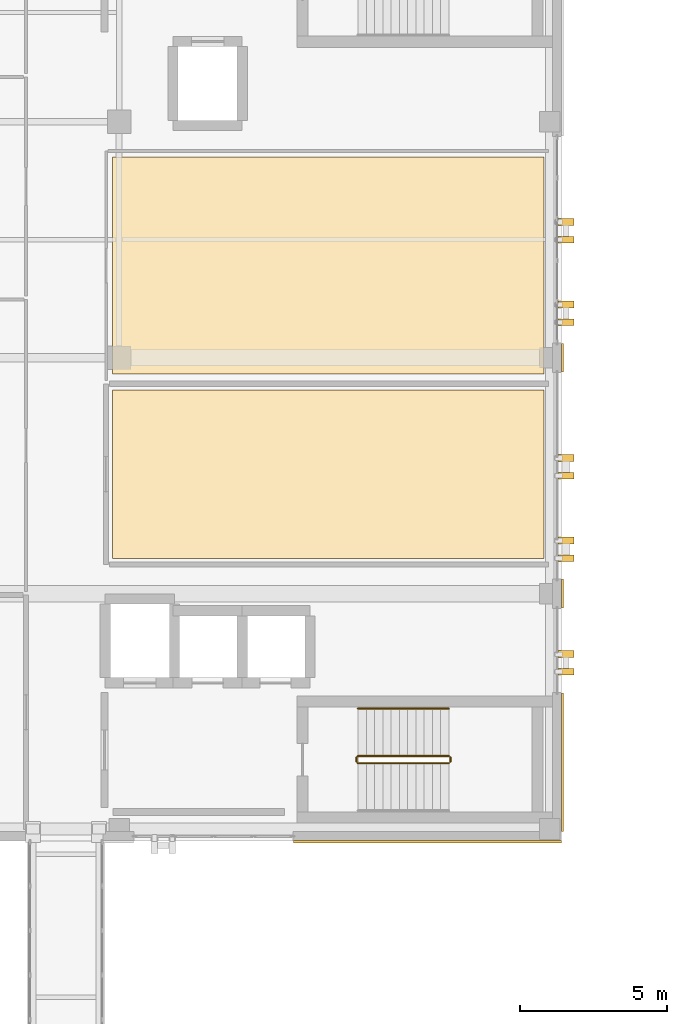
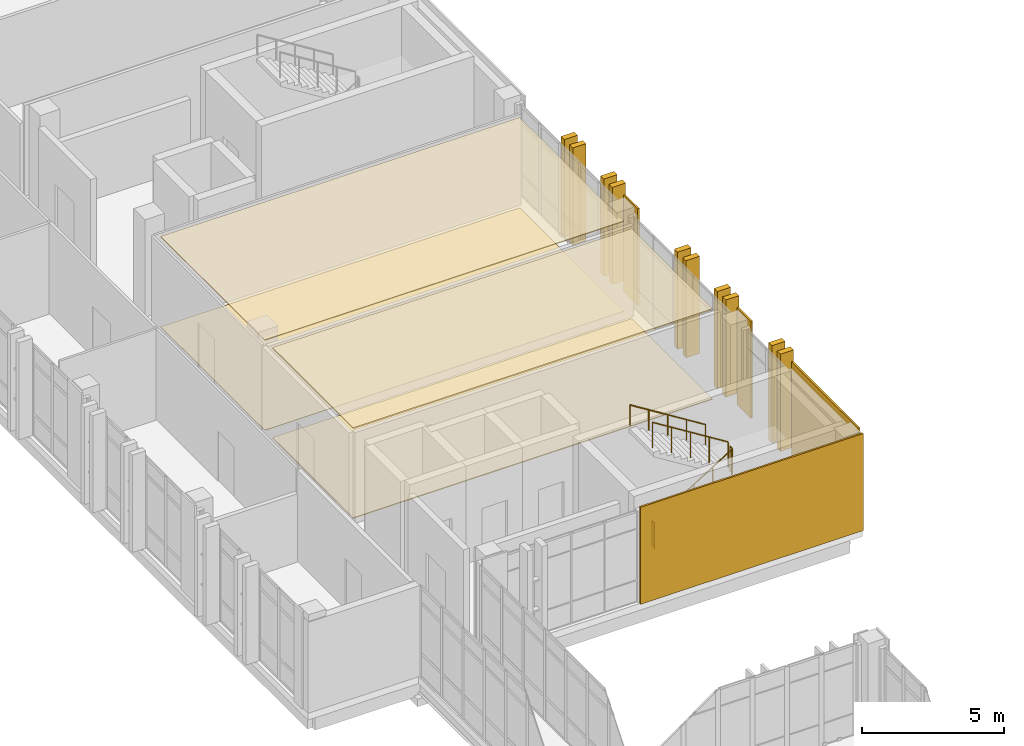
# One storey, part 181 of 193: 18 coverings, 5 railings.
"""IFC4 building model written with IfcOpenShell, lengths in metres."""

from ifc_helpers import new_model, si_unit, direction, frame, origin, origin_2d, place, context, subcontext, project, spatial, polyline, rectangle, circle, outline, extrude, material, layer, layer_set, type_object, element, save


model = new_model("IFC4")

# Units and contexts
model_context = context("Model", 3, precision=1e-05, world=origin(), true_north=direction((0.0, 1.0)))
body_context = subcontext(model_context, "Body", "Model", "MODEL_VIEW")
ifc_project = project(units=[si_unit("LENGTHUNIT", "METRE"), si_unit("AREAUNIT", "SQUARE_METRE"), si_unit("VOLUMEUNIT", "CUBIC_METRE"), si_unit("PLANEANGLEUNIT", "RADIAN"), si_unit("MASSUNIT", "GRAM", prefix="KILO")], contexts=[model_context])

# Site, building, storey
site_placement = place(None, origin())
site = spatial("IfcSite", under=ifc_project, at=site_placement, CompositionType="ELEMENT")
building_placement = place(site_placement, origin())
building = spatial("IfcBuilding", under=site, at=building_placement, Name="Qalavern Law Courts", CompositionType="ELEMENT")
storey_placement = place(building_placement, frame((0.0, 0.0, 10.199951171875)))
storey = spatial("IfcBuildingStorey", under=building, at=storey_placement, Name="L02", CompositionType="ELEMENT", Elevation=10.199951171875)

# Coverings
ifc_material_1 = material(Name="Precast concrete C40/50", Category="concrete")
ifc_layer_1 = layer(ifc_material_1, 0.22998046875)
ifc_layer_set_1 = layer_set([ifc_layer_1], Name="Precast concrete C40/50")
covering_type_1 = type_object("IfcCoveringType", Name="ENV-BLD-2", PredefinedType="CLADDING", material=ifc_layer_set_1)
for number, where, z_axis, x_axis, name in (
    (1, (106.955078125, 46.75, 0.005126953125), (0.0, 0.0, 1.0), (1.0, 0.0, 0.0), "Absheron stone facade blade 0581"),
    (2, (106.955078125, 47.35009765625, 0.005126953125), (0.0, 0.0, 1.0), (1.0, 0.0, 0.0), "Absheron stone facade blade 0582"),
    (3, (106.955078125, 50.60009765625, 0.005126953125), (0.0, 0.0, 1.0), (1.0, 0.0, 0.0), "Absheron stone facade blade 0583"),
    (4, (106.955078125, 51.199951171875, 0.005126953125), (0.0, 0.0, 1.0), (1.0, 0.0, 0.0), "Absheron stone facade blade 0584"),
    (5, (106.955078125, 53.39990234375, 0.005126953125), (0.0, 0.0, 1.0), (1.0, 0.0, 0.0), "Absheron stone facade blade 0585"),
    (6, (106.955078125, 54.0, 0.005126953125), (0.0, 0.0, 1.0), (1.0, 0.0, 0.0), "Absheron stone facade blade 0586"),
    (7, (106.955078125, 58.60009765625, 0.005126953125), (0.0, 0.0, 1.0), (1.0, 0.0, 0.0), "Absheron stone facade blade 0587"),
    (8, (106.955078125, 59.199951171875, 0.005126953125), (0.0, 0.0, 1.0), (1.0, 0.0, 0.0), "Absheron stone facade blade 0588"),
    (9, (106.955078125, 61.39990234375, 0.005126953125), (0.0, 0.0, 1.0), (1.0, 0.0, 0.0), "Absheron stone facade blade 0589"),
    (10, (106.955078125, 62.0, 0.005126953125), (0.0, 0.0, 1.0), (1.0, 0.0, 0.0), "Absheron stone facade blade 0590"),
):
    element("IfcCovering", number, at=place(storey_placement, frame(where, z_axis=z_axis, x_axis=x_axis)), inside=storey, type_object=covering_type_1, Name=name, PredefinedType="CLADDING", context=body_context, shape_type="SweptSolid", body=[
        extrude(rectangle(XDim=0.5400390625, YDim=0.22998046875, at=origin_2d()), origin(), (0.0, 0.0, 1.0), 4.18994140625),
    ])
ifc_layer_2 = layer(ifc_material_1, 0.072021484375)
ifc_layer_set_2 = layer_set([ifc_layer_2], Name="Precast concrete C40/50")
covering_type_2 = type_object("IfcCoveringType", Name="ENV-CLD-2", PredefinedType="CLADDING", material=ifc_layer_set_2)
covering_1_placement = place(storey_placement, frame((102.25, 40.987060546875, 0.01025390625), z_axis=(0.0, 0.0, 1.0), x_axis=(1.0, 0.0, 0.0)))
element("IfcCovering", 11, at=covering_1_placement, inside=storey, type_object=covering_type_2, Name="V4 Absheron limestone pier facing L02 south 2", PredefinedType="CLADDING", context=body_context, shape_type="SweptSolid", body=[
    extrude(rectangle(XDim=9.080078125, YDim=0.072021484375, at=origin_2d()), origin(), (0.0, 0.0, 1.0), 4.179931640625),
])
covering_2_placement = place(storey_placement, frame((106.8330078125, 43.6875, 0.01025390625), z_axis=(0.0, 0.0, 1.0), x_axis=(0.0, 1.0, 0.0)))
element("IfcCovering", 12, at=covering_2_placement, inside=storey, type_object=covering_type_2, Name="V4 Absheron limestone pier facing L02 east 1", PredefinedType="CLADDING", context=body_context, shape_type="SweptSolid", body=[
    extrude(rectangle(XDim=4.705078125, YDim=0.072021484375, at=origin_2d()), origin(), (0.0, 0.0, 1.0), 4.179931640625),
])
for number, where, z_axis, x_axis, name in (
    (13, (106.8330078125, 49.39990234375, 0.01025390625), (0.0, 0.0, 1.0), (0.0, 1.0, 0.0), "V4 Absheron limestone pier facing L02 east 2"),
    (14, (106.8330078125, 57.39990234375, 0.01025390625), (0.0, 0.0, 1.0), (0.0, 1.0, 0.0), "V4 Absheron limestone pier facing L02 east 3"),
):
    element("IfcCovering", number, at=place(storey_placement, frame(where, z_axis=z_axis, x_axis=x_axis)), inside=storey, type_object=covering_type_2, Name=name, PredefinedType="CLADDING", context=body_context, shape_type="SweptSolid", body=[
        extrude(rectangle(XDim=0.97998046875, YDim=0.072021484375, at=origin_2d()), origin(), (0.0, 0.0, 1.0), 4.179931640625),
    ])
ifc_material_2 = material(Name="Perforated gypsum and mineral-wool acoustic ceiling")
ifc_layer_3 = layer(ifc_material_2, 0.0380859375)
ifc_layer_set_3 = layer_set([ifc_layer_3], Name="Perforated gypsum and mineral-wool acoustic ceiling")
covering_type_3 = type_object("IfcCoveringType", Name="INT-CEIL-1", PredefinedType="CEILING", material=ifc_layer_set_3)
covering_3_placement = place(storey_placement, frame((0.0, 0.0, 3.876953125)))
element("IfcCovering", 15, at=covering_3_placement, inside=storey, type_object=covering_type_3, Name="Civil Courtroom acoustic ceiling L02", PredefinedType="CEILING", context=body_context, shape_type="SweptSolid", body=[
    extrude(outline(polyline([(91.570068359375, 56.844970703125), (106.2099609375, 56.844970703125), (106.2099609375, 64.199951171875), (91.570068359375, 64.199951171875), (91.570068359375, 56.844970703125)])), origin(), (0.0, 0.0, 1.0), 0.0380859375),
])
ifc_material_3 = material(Name="Slatted oak acoustic timber baffle ceiling", Category="wood")
ifc_layer_4 = layer(ifc_material_3, 0.055908203125)
ifc_layer_set_4 = layer_set([ifc_layer_4], Name="Slatted oak acoustic timber baffle ceiling")
covering_type_4 = type_object("IfcCoveringType", Name="INT-CEIL-3", PredefinedType="CEILING", material=ifc_layer_set_4)
covering_4_placement = place(storey_placement, frame((0.0, 0.0, 3.859130859375)))
element("IfcCovering", 16, at=covering_4_placement, inside=storey, type_object=covering_type_4, Name="Civil Courtroom acoustic ceiling L02", PredefinedType="CEILING", context=body_context, shape_type="SweptSolid", body=[
    extrude(outline(polyline([(91.570068359375, 50.60009765625), (106.2099609375, 50.60009765625), (106.2099609375, 56.304931640625), (91.570068359375, 56.304931640625), (91.570068359375, 50.60009765625)])), origin(), (0.0, 0.0, 1.0), 0.055908203125),
])
ifc_material_4 = material(Name="Acoustic engineered oak courtroom flooring")
ifc_layer_5 = layer(ifc_material_4, 0.02197265625)
ifc_layer_set_5 = layer_set([ifc_layer_5], Name="Acoustic engineered oak courtroom flooring")
covering_type_5 = type_object("IfcCoveringType", Name="INT-FLR-1", PredefinedType="FLOORING", material=ifc_layer_set_5)
covering_5_placement = place(storey_placement, origin())
element("IfcCovering", 17, at=covering_5_placement, inside=storey, type_object=covering_type_5, Name="Civil Courtroom finish flooring L02", PredefinedType="FLOORING", context=body_context, shape_type="SweptSolid", body=[
    extrude(outline(polyline([(91.570068359375, 56.844970703125), (106.2099609375, 56.844970703125), (106.2099609375, 64.199951171875), (91.570068359375, 64.199951171875), (91.570068359375, 56.844970703125)])), origin(), (0.0, 0.0, 1.0), 0.02197265625),
])
ifc_layer_6 = layer(ifc_material_4, 0.0380859375)
ifc_layer_set_6 = layer_set([ifc_layer_6], Name="Acoustic engineered oak courtroom flooring")
covering_type_6 = type_object("IfcCoveringType", Name="INT-FLR-3", PredefinedType="FLOORING", material=ifc_layer_set_6)
covering_6_placement = place(storey_placement, origin())
element("IfcCovering", 18, at=covering_6_placement, inside=storey, type_object=covering_type_6, Name="Civil Courtroom finish flooring L02", PredefinedType="FLOORING", context=body_context, shape_type="SweptSolid", body=[
    extrude(outline(polyline([(91.570068359375, 50.60009765625), (106.2099609375, 50.60009765625), (106.2099609375, 56.304931640625), (91.570068359375, 56.304931640625), (91.570068359375, 50.60009765625)])), origin(), (0.0, 0.0, 1.0), 0.0380859375),
])

# Railings
ifc_material_5 = material(Name="Steel S355", Category="steel")
railing_type_1 = type_object("IfcRailingType", Name="INT-GUARD-1120", PredefinedType="BALUSTRADE", material=ifc_material_5)
railing_1_placement = place(storey_placement, frame((99.89990234375, 43.64990234375, 0.175048828125)))
element("IfcRailing", 19, at=railing_1_placement, inside=storey, type_object=railing_type_1, Name="L02 ST-K1A stair guard 1", PredefinedType="BALUSTRADE", context=body_context, shape_type="SweptSolid", body=[
    extrude(circle(Radius=0.02392578125, at=origin_2d()), frame((0.0, 0.0, 1.09619140625), z_axis=(0.847998304005, 0.0, 0.529998940003), x_axis=(0.0, 1.0, 0.0)), (0.0, 0.0, 1.0), 3.632080078125),
    extrude(circle(Radius=0.02099609375, at=origin_2d()), origin(), (0.0, 0.0, 1.0), 1.072021484375),
    extrude(circle(Radius=0.02099609375, at=origin_2d()), frame((0.77001953125, 0.0, 0.481201171875)), (0.0, 0.0, 1.0), 1.072021484375),
    extrude(circle(Radius=0.02099609375, at=origin_2d()), frame((1.5400390625, 0.0, 0.96240234375)), (0.0, 0.0, 1.0), 1.072021484375),
    extrude(circle(Radius=0.02099609375, at=origin_2d()), frame((2.31005859375, 0.0, 1.44384765625)), (0.0, 0.0, 1.0), 1.072021484375),
    extrude(circle(Radius=0.02099609375, at=origin_2d()), frame((3.080078125, 0.0, 1.925048828125)), (0.0, 0.0, 1.0), 1.072021484375),
])
railing_2_placement = place(storey_placement, frame((103.030029296875, 43.699951171875, 2.10009765625)))
element("IfcRailing", 20, at=railing_2_placement, inside=storey, type_object=railing_type_1, Name="L02 ST-K1A stair guard 2", PredefinedType="BALUSTRADE", context=body_context, shape_type="SweptSolid", body=[
    extrude(circle(Radius=0.02392578125, at=origin_2d()), frame((0.0, 0.0, 1.09619140625), z_axis=(0.0, 1.0, 0.0), x_axis=(-1.0, 0.0, 0.0)), (0.0, 0.0, 1.0), 0.150146484375),
    extrude(circle(Radius=0.02099609375, at=origin_2d()), origin(), (0.0, 0.0, 1.0), 1.072021484375),
    extrude(circle(Radius=0.02099609375, at=origin_2d()), frame((0.0, 0.150146484375, 0.0)), (0.0, 0.0, 1.0), 1.072021484375),
])
railing_3_placement = place(storey_placement, frame((102.97998046875, 43.89990234375, 2.275146484375)))
element("IfcRailing", 21, at=railing_3_placement, inside=storey, type_object=railing_type_1, Name="L02 ST-K1A stair guard 3", PredefinedType="BALUSTRADE", context=body_context, shape_type="SweptSolid", body=[
    extrude(circle(Radius=0.02392578125, at=origin_2d()), frame((0.0, 0.0, 1.09619140625), z_axis=(-0.848028513186, 0.0, 0.529950602248), x_axis=(0.0, -1.0, 0.0)), (0.0, 0.0, 1.0), 3.632080078125),
    extrude(circle(Radius=0.02099609375, at=origin_2d()), origin(), (0.0, 0.0, 1.0), 1.072021484375),
    extrude(circle(Radius=0.02099609375, at=origin_2d()), frame((-0.77001953125, 0.0, 0.481201171875)), (0.0, 0.0, 1.0), 1.072021484375),
    extrude(circle(Radius=0.02099609375, at=origin_2d()), frame((-1.5400390625, 0.0, 0.96240234375)), (0.0, 0.0, 1.0), 1.072021484375),
    extrude(circle(Radius=0.02099609375, at=origin_2d()), frame((-2.31005859375, 0.0, 1.443603515625)), (0.0, 0.0, 1.0), 1.072021484375),
    extrude(circle(Radius=0.02099609375, at=origin_2d()), frame((-3.080078125, 0.0, 1.9248046875)), (0.0, 0.0, 1.0), 1.072021484375),
])
railing_4_placement = place(storey_placement, frame((99.85009765625, 43.699951171875, 0.0)))
element("IfcRailing", 22, at=railing_4_placement, inside=storey, type_object=railing_type_1, Name="L02 ST-K1A stair guard 4", PredefinedType="BALUSTRADE", context=body_context, shape_type="SweptSolid", body=[
    extrude(circle(Radius=0.02392578125, at=origin_2d()), frame((0.0, 0.0, 1.09619140625), z_axis=(0.0, 1.0, 0.0), x_axis=(-1.0, 0.0, 0.0)), (0.0, 0.0, 1.0), 0.150146484375),
    extrude(circle(Radius=0.02099609375, at=origin_2d()), origin(), (0.0, 0.0, 1.0), 1.072021484375),
    extrude(circle(Radius=0.02099609375, at=origin_2d()), frame((0.0, 0.150146484375, 0.0)), (0.0, 0.0, 1.0), 1.072021484375),
])
railing_type_2 = type_object("IfcRailingType", Name="INT-HRAIL-920", PredefinedType="HANDRAIL", material=ifc_material_5)
railing_5_placement = place(storey_placement, frame((102.97998046875, 45.5, 2.275146484375)))
element("IfcRailing", 23, at=railing_5_placement, inside=storey, type_object=railing_type_2, Name="L02 ST-K1A stair handrail 2", PredefinedType="HANDRAIL", context=body_context, shape_type="SweptSolid", body=[
    extrude(circle(Radius=0.02392578125, at=origin_2d()), frame((0.0, 0.0, 0.8759765625), z_axis=(-0.848028513186, 0.0, 0.529950602248), x_axis=(0.0, -1.0, 0.0)), (0.0, 0.0, 1.0), 3.632080078125),
    extrude(circle(Radius=0.02099609375, at=origin_2d()), origin(), (0.0, 0.0, 1.0), 0.851806640625),
    extrude(circle(Radius=0.02099609375, at=origin_2d()), frame((-0.77001953125, 0.0, 0.481201171875)), (0.0, 0.0, 1.0), 0.851806640625),
    extrude(circle(Radius=0.02099609375, at=origin_2d()), frame((-1.5400390625, 0.0, 0.96240234375)), (0.0, 0.0, 1.0), 0.851806640625),
    extrude(circle(Radius=0.02099609375, at=origin_2d()), frame((-2.31005859375, 0.0, 1.443603515625)), (0.0, 0.0, 1.0), 0.851806640625),
    extrude(circle(Radius=0.02099609375, at=origin_2d()), frame((-3.080078125, 0.0, 1.9248046875)), (0.0, 0.0, 1.0), 0.851806640625),
])

save(model, "model.ifc")
